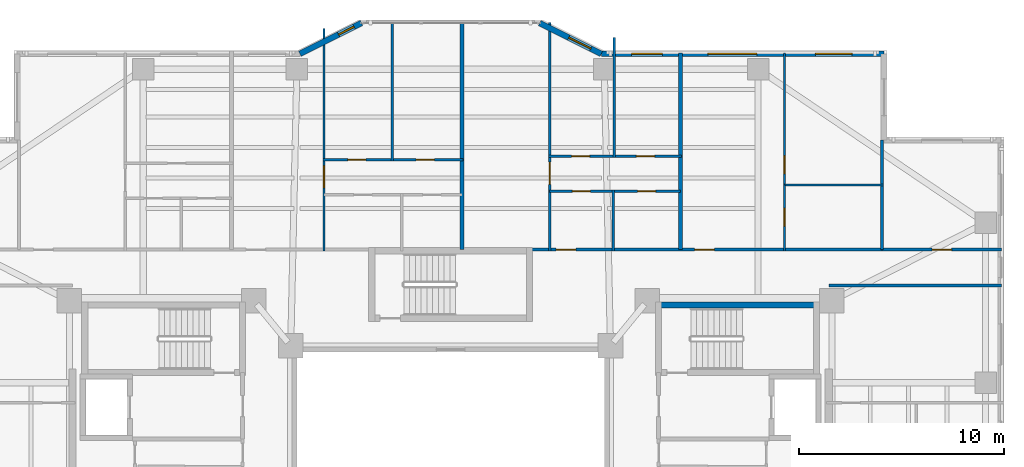
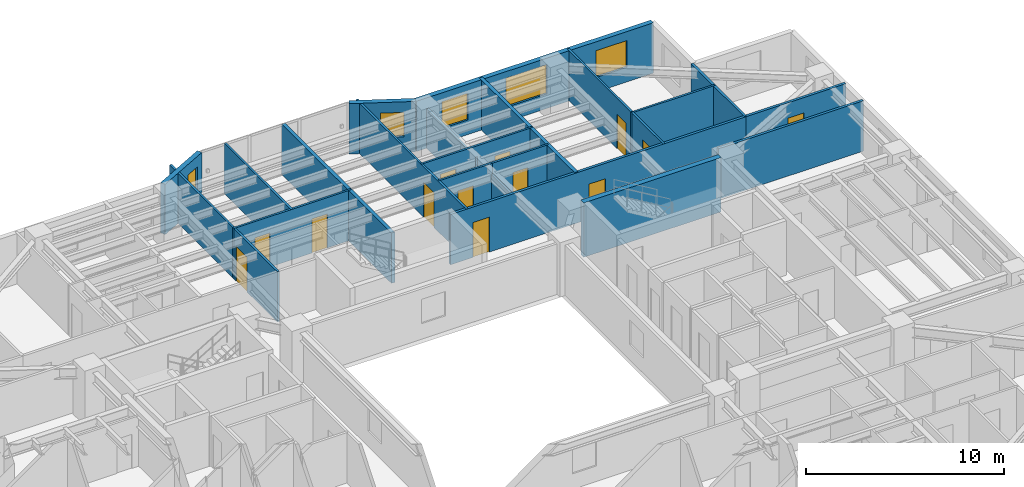
# One storey, part 11 of 19: 22 walls, 13 doors, 5 windows, 18 openings.
"""IFC4 building model written with IfcOpenShell, lengths in metres."""

import ifcopenshell
import ifcopenshell.guid

model = None  # the IFC model being written
_history = None  # IfcOwnerHistory: only IFC2X3 demands one
_inside = {}  # id of a spatial element -> (the spatial element, [elements in it])
_under = {}  # id of a project, library or spatial element -> (it, [spatial elements below it])
_declared = {}  # id of a project -> (the project, [libraries it declares])
_typed = {}  # id of a type object -> (the type object, [elements of that type])
_made_of = {}  # id of a material, layer set ... -> (it, [elements and type objects made of it])


def new_model(schema):
    """Start an empty IFC model of exactly this schema.

    Asked for "IFC4X3", IfcOpenShell would pick the latest addendum, in which some entities
    have other attributes; the version numbers below select the first issue.
    IFC2X3 requires an IfcOwnerHistory on every rooted entity: one is made here for all.
    """
    global model, _history
    if schema == "IFC4X3":
        model = ifcopenshell.file(schema_version=(4, 3, 0, 0))
    else:
        model = ifcopenshell.file(schema=schema)
    _inside.clear()
    _under.clear()
    _declared.clear()
    _typed.clear()
    _made_of.clear()
    _history = None
    if model.schema == "IFC2X3":
        org = make("IfcOrganization", Name="unknown")
        user = make(
            "IfcPersonAndOrganization",
            ThePerson=make("IfcPerson", FamilyName="unknown"),
            TheOrganization=org,
        )
        app = make(
            "IfcApplication",
            ApplicationDeveloper=org,
            Version="unknown",
            ApplicationFullName="unknown",
            ApplicationIdentifier="unknown",
        )
        _history = make(
            "IfcOwnerHistory",
            OwningUser=user,
            OwningApplication=app,
            ChangeAction="ADDED",
            CreationDate=0,
        )
    return model


def make(cls, **values):
    """One entity of the class cls with the attributes given. An attribute that is None is left unset."""
    return model.create_entity(
        cls, **{name: value for name, value in values.items() if value is not None}
    )


def rooted(cls, **values):
    """An entity with a GlobalId (a new one), such as an element, a storey or a relation."""
    return make(cls, GlobalId=ifcopenshell.guid.new(), OwnerHistory=_history, **values)


def si_unit(unit_type, name, prefix=None):
    """IfcSIUnit, for example si_unit("LENGTHUNIT", "METRE", prefix="MILLI")."""
    return make("IfcSIUnit", UnitType=unit_type, Prefix=prefix, Name=name)


def assignment(units):
    """IfcUnitAssignment: the units of a project."""
    return None if units is None else make("IfcUnitAssignment", Units=units)


def point(xyz):
    """IfcCartesianPoint."""
    return None if xyz is None else make("IfcCartesianPoint", Coordinates=xyz)


def direction(xyz):
    """IfcDirection."""
    return None if xyz is None else make("IfcDirection", DirectionRatios=xyz)


def frame(location, z_axis=None, x_axis=None):
    """IfcAxis2Placement3D, a coordinate frame: its origin and axes. An axis left out is left unset."""
    return make(
        "IfcAxis2Placement3D",
        Location=point(location),
        Axis=direction(z_axis),
        RefDirection=direction(x_axis),
    )


def frame_2d(location, x_axis=None):
    """IfcAxis2Placement2D, a coordinate frame in the plane: its origin and x axis."""
    return make(
        "IfcAxis2Placement2D", Location=point(location), RefDirection=direction(x_axis)
    )


def origin():
    """The frame at (0, 0, 0) with its axes left unset."""
    return frame((0.0, 0.0, 0.0))


def place(relative_to, where):
    """IfcLocalPlacement: puts the frame where relative to a parent placement (None: the world)."""
    return make(
        "IfcLocalPlacement", PlacementRelTo=relative_to, RelativePlacement=where
    )


def context(
    kind, dimensions, precision=None, world=None, true_north=None, identifier=None
):
    """IfcGeometricRepresentationContext, for example the 3D "Model" context."""
    return make(
        "IfcGeometricRepresentationContext",
        ContextIdentifier=identifier,
        ContextType=kind,
        CoordinateSpaceDimension=dimensions,
        Precision=precision,
        WorldCoordinateSystem=world,
        TrueNorth=true_north,
    )


def subcontext(parent, identifier, kind, view, scale=None):
    """IfcGeometricRepresentationSubContext, for example "Body" below "Model"."""
    return make(
        "IfcGeometricRepresentationSubContext",
        ContextIdentifier=identifier,
        ContextType=kind,
        ParentContext=parent,
        TargetScale=scale,
        TargetView=view,
    )


def project(units=None, contexts=None):
    """IfcProject with its units and contexts."""
    return rooted(
        "IfcProject",
        Name="project",
        RepresentationContexts=contexts,
        UnitsInContext=assignment(units),
    )


def spatial(cls, under=None, at=None, **own):
    """A site, building, storey or space (cls), placed at a placement, below another one or the project."""
    s = rooted(cls, ObjectPlacement=at, **own)
    if under is not None:
        _under.setdefault(under.id(), (under, []))[1].append(s)
    return s


def profile(cls, at=None, kind="AREA", **sizes):
    """A parametric profile (cls). Its sizes go by their IFC names, for example OverallWidth=200.0."""
    return make(cls, ProfileType=kind, Position=at, **sizes)


def rectangle(**sizes):
    """IfcRectangleProfileDef."""
    return profile("IfcRectangleProfileDef", **sizes)


def extrude(swept, where, along, depth):
    """IfcExtrudedAreaSolid: the profile swept, set in the frame where, extruded along a direction by depth."""
    return make(
        "IfcExtrudedAreaSolid",
        SweptArea=swept,
        Position=where,
        ExtrudedDirection=direction(along),
        Depth=depth,
    )


def shape(context_of_items, identifier, shape_type, items):
    """IfcShapeRepresentation: the items that make up one representation, for example the "Body"."""
    return make(
        "IfcShapeRepresentation",
        ContextOfItems=context_of_items,
        RepresentationIdentifier=identifier,
        RepresentationType=shape_type,
        Items=items,
    )


def material(Name=None, Category=None):
    """IfcMaterial."""
    return make("IfcMaterial", Name=Name, Category=Category)


def layer(
    of_material, thickness, ventilated=None, Name=None, Category=None, Priority=None
):
    """IfcMaterialLayer: one layer of a wall or slab, of a material (None: an air gap)."""
    return make(
        "IfcMaterialLayer",
        Material=of_material,
        LayerThickness=thickness,
        IsVentilated=ventilated,
        Name=Name,
        Category=Category,
        Priority=Priority,
    )


def layer_set(layers, Name=None):
    """IfcMaterialLayerSet."""
    return make("IfcMaterialLayerSet", MaterialLayers=layers, LayerSetName=Name)


def made_of(thing, what):
    """Note that an element or type object is made of a material, layer set ...; save() writes the relation."""
    if what is not None:
        _made_of.setdefault(what.id(), (what, []))[1].append(thing)
    return thing


def type_object(cls, material=None, **own):
    """A type object (cls), such as IfcWallType, which elements share."""
    return made_of(rooted(cls, **own), material)


def element(
    cls,
    number,
    at=None,
    inside=None,
    cuts=None,
    type_object=None,
    material=None,
    context=None,
    identifier="Body",
    shape_type=None,
    held_by="IfcProductDefinitionShape",
    body=None,
    shapes=None,
    **own,
):
    """One element of the class cls, such as IfcWall. Its Tag is "e" and its number.

    at: its placement. inside: the storey or other place that contains it. cuts: it is an
    opening in that element (IfcRelVoidsElement). A single representation is given by context,
    identifier, shape_type and body (its items); several are given by shapes. held_by: the class
    of the entity that holds the representations. save() writes the other relations.
    """
    e = rooted(cls, Tag="e%d" % number, ObjectPlacement=at, **own)
    if body is not None:
        shapes = [shape(context, identifier, shape_type, body)]
    if shapes is not None:
        e.Representation = make(held_by, Representations=shapes)
    if inside is not None:
        _inside.setdefault(inside.id(), (inside, []))[1].append(e)
    if cuts is not None:
        rooted(
            "IfcRelVoidsElement", RelatingBuildingElement=cuts, RelatedOpeningElement=e
        )
    if type_object is not None:
        _typed.setdefault(type_object.id(), (type_object, []))[1].append(e)
    return made_of(e, material)


def fill(opening, filler):
    """IfcRelFillsElement: the door or window that sits in an opening."""
    return rooted(
        "IfcRelFillsElement",
        RelatingOpeningElement=opening,
        RelatedBuildingElement=filler,
    )


def aggregate(whole, parts):
    """IfcRelAggregates: a whole, such as a stair, and the parts it consists of."""
    return rooted("IfcRelAggregates", RelatingObject=whole, RelatedObjects=parts)


def save(model, path):
    """Write the relations noted so far, then the file.

    IfcRelAggregates (storeys below a building ...), IfcRelContainedInSpatialStructure (elements
    in a storey), IfcRelDefinesByType, IfcRelAssociatesMaterial and IfcRelDeclares: one each for
    every whole, place, type object, material and project.
    """
    for whole, parts in _under.values():
        aggregate(whole, parts)
    for where, things in _inside.values():
        rooted(
            "IfcRelContainedInSpatialStructure",
            RelatedElements=things,
            RelatingStructure=where,
        )
    for kind, things in _typed.values():
        rooted("IfcRelDefinesByType", RelatedObjects=things, RelatingType=kind)
    for what, things in _made_of.values():
        rooted("IfcRelAssociatesMaterial", RelatedObjects=things, RelatingMaterial=what)
    for by, libraries in _declared.values():
        rooted("IfcRelDeclares", RelatingContext=by, RelatedDefinitions=libraries)
    model.write(path)


model = new_model("IFC4")

# Units and contexts
model_context = context("Model", 3, precision=1e-05, world=origin(), true_north=direction((0.0, 1.0)))
body_context = subcontext(model_context, "Body", "Model", "MODEL_VIEW")
ifc_project = project(units=[si_unit("LENGTHUNIT", "METRE"), si_unit("AREAUNIT", "SQUARE_METRE"), si_unit("VOLUMEUNIT", "CUBIC_METRE"), si_unit("PLANEANGLEUNIT", "RADIAN"), si_unit("MASSUNIT", "GRAM", prefix="KILO")], contexts=[model_context])

# Site, building, storey
site_placement = place(None, origin())
site = spatial("IfcSite", under=ifc_project, at=site_placement, CompositionType="ELEMENT")
building_placement = place(site_placement, origin())
building = spatial("IfcBuilding", under=site, at=building_placement, Name="Tarnavaz Court Tower", CompositionType="ELEMENT")
storey_placement = place(building_placement, frame((0.0, 0.0, 111.800048828125)))
storey = spatial("IfcBuildingStorey", under=building, at=storey_placement, Name="L30", CompositionType="ELEMENT", Elevation=111.800048828125)

# Wall
ifc_material_1 = material(Name="Concrete C60/75", Category="concrete")
ifc_layer_1 = layer(ifc_material_1, 0.300048828125)
ifc_layer_set_1 = layer_set([ifc_layer_1], Name="Concrete C60/75")
wall_type_1 = type_object("IfcWallType", Name="WL-CORE-300-C60", PredefinedType="SHEAR", material=ifc_layer_set_1)
wall_1_placement = place(storey_placement, frame((10.0, 9.7900390625, 0.0), z_axis=(0.0, 0.0, 1.0), x_axis=(1.0, 0.0, 0.0)))
element("IfcWall", 1, at=wall_1_placement, inside=storey, type_object=wall_type_1, Name="L30 East Stair Core Wall 005", PredefinedType="SHEAR", context=body_context, shape_type="SweptSolid", body=[
    extrude(rectangle(XDim=8.0, YDim=0.300048828125, at=frame_2d((4.0, 0.0))), origin(), (0.0, 0.0, 1.0), 3.349853515625),
])

# Wall, opening, window
ifc_material_2 = material(Name="Precast Concrete C40/50", Category="concrete")
ifc_layer_2 = layer(ifc_material_2, 0.280029296875)
ifc_layer_set_2 = layer_set([ifc_layer_2], Name="Precast Concrete C40/50")
wall_type_2 = type_object("IfcWallType", Name="WL-EXT-280", PredefinedType="SOLIDWALL", material=ifc_layer_set_2)
wall_2_placement = place(storey_placement, frame((-7.35009765625, 22.050048828125, 0.0), z_axis=(0.0, 0.0, 1.0), x_axis=(0.894427191, 0.4472135955, 0.0)))
wall_2 = element("IfcWall", 2, at=wall_2_placement, inside=storey, type_object=wall_type_2, Name="L30 Exterior Terracotta Facade Wall 06", PredefinedType="SOLIDWALL", context=body_context, shape_type="SweptSolid", body=[
    extrude(rectangle(XDim=3.35400390625, YDim=0.280029296875, at=frame_2d((1.677001953125, 0.0))), origin(), (0.0, 0.0, 1.0), 3.099853515625),
])
opening_1_placement = place(wall_2_placement, frame((2.098876953125, 0.0, 0.949951171875)))
opening_1 = element("IfcOpeningElement", 3, at=opening_1_placement, cuts=wall_2, Name="Opening W15", PredefinedType="OPENING", context=body_context, shape_type="SweptSolid", body=[
    extrude(rectangle(XDim=0.85009765625, YDim=1.5, at=frame_2d((0.425048828125, 0.75))), frame((0.0, 0.14990234375, 0.0), z_axis=(0.0, -1.0, 0.0), x_axis=(1.0, 0.0, 0.0)), (0.0, 0.0, 1.0), 0.300048828125),
])
ifc_material_3 = material(Name="Double-Glazed Solar Low-E Glass", Category="glass")
window_type_1 = type_object("IfcWindowType", Name="WN-APT-850", PartitioningType="SINGLE_PANEL", PredefinedType="WINDOW", material=ifc_material_3)
window_1_placement = place(opening_1_placement, origin())
window_1 = element("IfcWindow", 4, at=window_1_placement, inside=storey, type_object=window_type_1, Name="L30 Flat 02 Principal Bedroom Window", OverallHeight=1.5, OverallWidth=0.85009765625, PartitioningType="SINGLE_PANEL", PredefinedType="WINDOW", context=body_context, shape_type="SweptSolid", body=[
    extrude(rectangle(XDim=0.85009765625, YDim=1.5, at=frame_2d((0.425048828125, 0.75))), frame((0.0, 0.030029296875, 0.0), z_axis=(0.0, -1.0, 0.0), x_axis=(1.0, 0.0, 0.0)), (0.0, 0.0, 1.0), 0.06005859375),
])
fill(opening_1, window_1)

wall_3_placement = place(storey_placement, frame((4.35009765625, 23.550048828125, 0.0), z_axis=(0.0, 0.0, 1.0), x_axis=(0.894427191, -0.4472135955, 0.0)))
wall_3 = element("IfcWall", 5, at=wall_3_placement, inside=storey, type_object=wall_type_2, Name="L30 Exterior Terracotta Facade Wall 08", PredefinedType="SOLIDWALL", context=body_context, shape_type="SweptSolid", body=[
    extrude(rectangle(XDim=3.35400390625, YDim=0.280029296875, at=frame_2d((1.677001953125, 0.0))), origin(), (0.0, 0.0, 1.0), 3.099853515625),
])
opening_2_placement = place(wall_3_placement, frame((1.582763671875, 0.0, 0.949951171875)))
opening_2 = element("IfcOpeningElement", 6, at=opening_2_placement, cuts=wall_3, Name="Opening W05", PredefinedType="OPENING", context=body_context, shape_type="SweptSolid", body=[
    extrude(rectangle(XDim=1.199951171875, YDim=1.5, at=frame_2d((0.60009765625, 0.75))), frame((0.0, 0.14990234375, 0.0), z_axis=(0.0, -1.0, 0.0), x_axis=(1.0, 0.0, 0.0)), (0.0, 0.0, 1.0), 0.300048828125),
])
window_type_2 = type_object("IfcWindowType", Name="WN-APT-1200", PartitioningType="SINGLE_PANEL", PredefinedType="WINDOW", material=ifc_material_3)
window_2_placement = place(opening_2_placement, origin())
window_2 = element("IfcWindow", 7, at=window_2_placement, inside=storey, type_object=window_type_2, Name="L30 Flat 03 Principal Bedroom Window", OverallHeight=1.5, OverallWidth=1.199951171875, PartitioningType="SINGLE_PANEL", PredefinedType="WINDOW", context=body_context, shape_type="SweptSolid", body=[
    extrude(rectangle(XDim=1.199951171875, YDim=1.5, at=frame_2d((0.60009765625, 0.75))), frame((0.0, 0.030029296875, 0.0), z_axis=(0.0, -1.0, 0.0), x_axis=(1.0, 0.0, 0.0)), (0.0, 0.0, 1.0), 0.06005859375),
])
fill(opening_2, window_2)

# Wall, openings, windows
wall_4_placement = place(storey_placement, frame((7.35009765625, 22.050048828125, 0.0), z_axis=(0.0, 0.0, 1.0), x_axis=(1.0, 0.0, 0.0)))
wall_4 = element("IfcWall", 8, at=wall_4_placement, inside=storey, type_object=wall_type_2, Name="L30 Exterior Terracotta Facade Wall 09", PredefinedType="SOLIDWALL", context=body_context, shape_type="SweptSolid", body=[
    extrude(rectangle(XDim=13.7998046875, YDim=0.280029296875, at=frame_2d((6.89990234375, 0.0))), origin(), (0.0, 0.0, 1.0), 3.099853515625),
])
opening_3_placement = place(wall_4_placement, frame((1.483154296875, 0.0, 0.89990234375)))
opening_3 = element("IfcOpeningElement", 9, at=opening_3_placement, cuts=wall_4, Name="Opening W03", PredefinedType="OPENING", context=body_context, shape_type="SweptSolid", body=[
    extrude(rectangle(XDim=1.5, YDim=1.64990234375, at=frame_2d((0.75, 0.824951171875))), frame((0.0, 0.14990234375, 0.0), z_axis=(0.0, -1.0, 0.0), x_axis=(1.0, 0.0, 0.0)), (0.0, 0.0, 1.0), 0.300048828125),
])
opening_4_placement = place(wall_4_placement, frame((5.1982421875, 0.0, 0.89990234375)))
opening_4 = element("IfcOpeningElement", 10, at=opening_4_placement, cuts=wall_4, Name="Opening W06", PredefinedType="OPENING", context=body_context, shape_type="SweptSolid", body=[
    extrude(rectangle(XDim=2.39990234375, YDim=1.800048828125, at=frame_2d((1.199951171875, 0.89990234375))), frame((0.0, 0.14990234375, 0.0), z_axis=(0.0, -1.0, 0.0), x_axis=(1.0, 0.0, 0.0)), (0.0, 0.0, 1.0), 0.300048828125),
])
opening_5_placement = place(wall_4_placement, frame((10.441162109375, 0.0, 0.89990234375)))
opening_5 = element("IfcOpeningElement", 11, at=opening_5_placement, cuts=wall_4, Name="Opening W01", PredefinedType="OPENING", context=body_context, shape_type="SweptSolid", body=[
    extrude(rectangle(XDim=1.800048828125, YDim=1.64990234375, at=frame_2d((0.89990234375, 0.824951171875))), frame((0.0, 0.14990234375, 0.0), z_axis=(0.0, -1.0, 0.0), x_axis=(1.0, 0.0, 0.0)), (0.0, 0.0, 1.0), 0.300048828125),
])
window_type_3 = type_object("IfcWindowType", Name="WN-APT-1500", PartitioningType="DOUBLE_PANEL_VERTICAL", PredefinedType="WINDOW", material=ifc_material_3)
window_3_placement = place(opening_3_placement, origin())
window_3 = element("IfcWindow", 12, at=window_3_placement, inside=storey, type_object=window_type_3, Name="L30 Flat 03 Bedroom 2 Window", OverallHeight=1.64990234375, OverallWidth=1.5, PartitioningType="SINGLE_PANEL", PredefinedType="WINDOW", context=body_context, shape_type="SweptSolid", body=[
    extrude(rectangle(XDim=1.5, YDim=1.64990234375, at=frame_2d((0.75, 0.824951171875))), frame((0.0, 0.030029296875, 0.0), z_axis=(0.0, -1.0, 0.0), x_axis=(1.0, 0.0, 0.0)), (0.0, 0.0, 1.0), 0.06005859375),
])
fill(opening_3, window_3)
window_type_4 = type_object("IfcWindowType", Name="WN-APT-1800", PartitioningType="DOUBLE_PANEL_VERTICAL", PredefinedType="WINDOW", material=ifc_material_3)
window_4_placement = place(opening_5_placement, origin())
window_4 = element("IfcWindow", 13, at=window_4_placement, inside=storey, type_object=window_type_4, Name="L30 Flat 04 Kitchen Window", OverallHeight=1.64990234375, OverallWidth=1.800048828125, PartitioningType="SINGLE_PANEL", PredefinedType="WINDOW", context=body_context, shape_type="SweptSolid", body=[
    extrude(rectangle(XDim=1.800048828125, YDim=1.64990234375, at=frame_2d((0.89990234375, 0.824951171875))), frame((0.0, 0.030029296875, 0.0), z_axis=(0.0, -1.0, 0.0), x_axis=(1.0, 0.0, 0.0)), (0.0, 0.0, 1.0), 0.06005859375),
])
fill(opening_5, window_4)
window_type_5 = type_object("IfcWindowType", Name="WN-APT-2400", PartitioningType="TRIPLE_PANEL_VERTICAL", PredefinedType="WINDOW", material=ifc_material_3)
window_5_placement = place(opening_4_placement, origin())
window_5 = element("IfcWindow", 14, at=window_5_placement, inside=storey, type_object=window_type_5, Name="L30 Flat 04 Studio Living and Sleeping Room Window", OverallHeight=1.800048828125, OverallWidth=2.39990234375, PartitioningType="SINGLE_PANEL", PredefinedType="WINDOW", context=body_context, shape_type="SweptSolid", body=[
    extrude(rectangle(XDim=2.39990234375, YDim=1.800048828125, at=frame_2d((1.199951171875, 0.89990234375))), frame((0.0, 0.030029296875, 0.0), z_axis=(0.0, -1.0, 0.0), x_axis=(1.0, 0.0, 0.0)), (0.0, 0.0, 1.0), 0.06005859375),
])
fill(opening_4, window_5)

# Wall, openings, doors
ifc_material_4 = material(Name="Gypsum Fire-Board on Acoustic Metal Stud", Category="masonry")
ifc_layer_3 = layer(ifc_material_4, 0.14990234375)
ifc_layer_set_3 = layer_set([ifc_layer_3], Name="Gypsum Fire-Board on Acoustic Metal Stud")
wall_type_3 = type_object("IfcWallType", Name="WL-FIRE-150", PredefinedType="PARTITIONING", material=ifc_layer_set_3)
wall_5_placement = place(storey_placement, frame((3.85009765625, 12.5, 0.0), z_axis=(0.0, 0.0, 1.0), x_axis=(1.0, 0.0, 0.0)))
wall_5 = element("IfcWall", 15, at=wall_5_placement, inside=storey, type_object=wall_type_3, Name="L30 NE Wing Corridor Wall 072", PredefinedType="PARTITIONING", context=body_context, shape_type="SweptSolid", body=[
    extrude(rectangle(XDim=17.199951171875, YDim=0.14990234375, at=frame_2d((8.60009765625, 0.0))), origin(), (0.0, 0.0, 1.0), 3.099853515625),
])
opening_6_placement = place(wall_5_placement, frame((1.300048828125, 0.0, 0.0)))
opening_6 = element("IfcOpeningElement", 16, at=opening_6_placement, cuts=wall_5, Name="Opening D06", PredefinedType="OPENING", context=body_context, shape_type="SweptSolid", body=[
    extrude(rectangle(XDim=0.9599609375, YDim=2.14990234375, at=frame_2d((0.47998046875, 1.074951171875))), frame((0.0, 0.0849609375, 0.0), z_axis=(0.0, -1.0, 0.0), x_axis=(1.0, 0.0, 0.0)), (0.0, 0.0, 1.0), 0.169921875),
])
opening_7_placement = place(wall_5_placement, frame((8.06005859375, 0.0, 0.0)))
opening_7 = element("IfcOpeningElement", 17, at=opening_7_placement, cuts=wall_5, Name="Opening D06", PredefinedType="OPENING", context=body_context, shape_type="SweptSolid", body=[
    extrude(rectangle(XDim=0.9599609375, YDim=2.14990234375, at=frame_2d((0.47998046875, 1.074951171875))), frame((0.0, 0.0849609375, 0.0), z_axis=(0.0, -1.0, 0.0), x_axis=(1.0, 0.0, 0.0)), (0.0, 0.0, 1.0), 0.169921875),
])
ifc_material_5 = material(Name="Fire-Rated Hardwood Timber Core", Category="wood")
door_type_1 = type_object("IfcDoorType", Name="DR-FD60-950", OperationType="NOTDEFINED", PredefinedType="DOOR", material=ifc_material_5)
door_1_placement = place(opening_6_placement, origin())
door_1 = element("IfcDoor", 18, at=door_1_placement, inside=storey, type_object=door_type_1, Name="L30 Flat 03 Entrance Door", OperationType="SINGLE_SWING_RIGHT", OverallHeight=2.14990234375, OverallWidth=0.9599609375, PredefinedType="DOOR", context=body_context, shape_type="SweptSolid", body=[
    extrude(rectangle(XDim=0.9599609375, YDim=2.14990234375, at=frame_2d((0.47998046875, 1.074951171875))), frame((0.0, 0.02490234375, 0.0), z_axis=(0.0, -1.0, 0.0), x_axis=(1.0, 0.0, 0.0)), (0.0, 0.0, 1.0), 0.050048828125),
])
fill(opening_6, door_1)
door_2_placement = place(opening_7_placement, origin())
door_2 = element("IfcDoor", 19, at=door_2_placement, inside=storey, type_object=door_type_1, Name="L30 Flat 04 Entrance Door", OperationType="SINGLE_SWING_RIGHT", OverallHeight=2.14990234375, OverallWidth=0.9599609375, PredefinedType="DOOR", context=body_context, shape_type="SweptSolid", body=[
    extrude(rectangle(XDim=0.9599609375, YDim=2.14990234375, at=frame_2d((0.47998046875, 1.074951171875))), frame((0.0, 0.02490234375, 0.0), z_axis=(0.0, -1.0, 0.0), x_axis=(1.0, 0.0, 0.0)), (0.0, 0.0, 1.0), 0.050048828125),
])
fill(opening_7, door_2)

# Wall
wall_6_placement = place(storey_placement, frame((18.449951171875, 10.75, 0.0), z_axis=(0.0, 0.0, 1.0), x_axis=(1.0, 0.0, 0.0)))
element("IfcWall", 20, at=wall_6_placement, inside=storey, type_object=wall_type_3, Name="L30 Interior Partition 125", PredefinedType="PARTITIONING", context=body_context, shape_type="SweptSolid", body=[
    extrude(rectangle(XDim=8.429931640625, YDim=0.14990234375, at=frame_2d((4.21484375, 0.0))), origin(), (0.0, 0.0, 1.0), 3.099853515625),
])

# Wall, opening, door
wall_7_placement = place(storey_placement, frame((21.050048828125, 12.5, 0.0), z_axis=(0.0, 0.0, 1.0), x_axis=(1.0, 0.0, 0.0)))
wall_7 = element("IfcWall", 21, at=wall_7_placement, inside=storey, type_object=wall_type_3, Name="L30 Interior Partition 131", PredefinedType="PARTITIONING", context=body_context, shape_type="SweptSolid", body=[
    extrude(rectangle(XDim=5.829833984375, YDim=0.14990234375, at=frame_2d((2.9150390625, 0.0))), origin(), (0.0, 0.0, 1.0), 3.099853515625),
])
opening_8_placement = place(wall_7_placement, frame((2.43994140625, 0.0, 0.0)))
opening_8 = element("IfcOpeningElement", 22, at=opening_8_placement, cuts=wall_7, Name="Opening D13", PredefinedType="OPENING", context=body_context, shape_type="SweptSolid", body=[
    extrude(rectangle(XDim=0.949951171875, YDim=2.14990234375, at=frame_2d((0.47509765625, 1.074951171875))), frame((0.0, 0.0849609375, 0.0), z_axis=(0.0, -1.0, 0.0), x_axis=(1.0, 0.0, 0.0)), (0.0, 0.0, 1.0), 0.169921875),
])
ifc_material_6 = material(Name="Engineered Oak Timber", Category="wood")
door_type_2 = type_object("IfcDoorType", Name="DR-INT-950", OperationType="NOTDEFINED", PredefinedType="DOOR", material=ifc_material_6)
door_3_placement = place(opening_8_placement, origin())
door_3 = element("IfcDoor", 23, at=door_3_placement, inside=storey, type_object=door_type_2, Name="L30 NE Sunroom Door", OperationType="SINGLE_SWING_RIGHT", OverallHeight=2.14990234375, OverallWidth=0.949951171875, PredefinedType="DOOR", context=body_context, shape_type="SweptSolid", body=[
    extrude(rectangle(XDim=0.949951171875, YDim=2.14990234375, at=frame_2d((0.47509765625, 1.074951171875))), frame((0.0, 0.02490234375, 0.0), z_axis=(0.0, -1.0, 0.0), x_axis=(1.0, 0.0, 0.0)), (0.0, 0.0, 1.0), 0.050048828125),
])
fill(opening_8, door_3)

# Walls
ifc_material_7 = material(Name="Autoclaved Aerated Concrete Blockwork", Category="masonry")
ifc_layer_4 = layer(ifc_material_7, 0.199951171875)
ifc_layer_set_4 = layer_set([ifc_layer_4], Name="Autoclaved Aerated Concrete Blockwork")
wall_type_4 = type_object("IfcWallType", Name="WL-FIRE-200", PredefinedType="SOLIDWALL", material=ifc_layer_set_4)
wall_8_placement = place(storey_placement, frame((0.550048828125, 12.5, 0.0), z_axis=(0.0, 0.0, 1.0), x_axis=(0.0, 1.0, 0.0)))
element("IfcWall", 24, at=wall_8_placement, inside=storey, type_object=wall_type_4, Name="L30 North Center Party Wall 075", PredefinedType="SOLIDWALL", context=body_context, shape_type="SweptSolid", body=[
    extrude(rectangle(XDim=11.080078125, YDim=0.199951171875, at=frame_2d((5.5400390625, 0.0))), origin(), (0.0, 0.0, 1.0), 3.099853515625),
])
wall_9_placement = place(storey_placement, frame((11.2099609375, 12.5, 0.0), z_axis=(0.0, 0.0, 1.0), x_axis=(0.0, 1.0, 0.0)))
element("IfcWall", 25, at=wall_9_placement, inside=storey, type_object=wall_type_4, Name="L30 Party Wall 088", PredefinedType="SOLIDWALL", context=body_context, shape_type="SweptSolid", body=[
    extrude(rectangle(XDim=9.60009765625, YDim=0.199951171875, at=frame_2d((4.800048828125, 0.0))), origin(), (0.0, 0.0, 1.0), 3.099853515625),
])

# Wall, opening, door
ifc_material_8 = material(Name="Moisture-Resistant Gypsum Board Partition", Category="masonry")
ifc_layer_5 = layer(ifc_material_8, 0.1201171875)
ifc_layer_set_5 = layer_set([ifc_layer_5], Name="Moisture-Resistant Gypsum Board Partition")
wall_type_5 = type_object("IfcWallType", Name="WL-PART-120", PredefinedType="PARTITIONING", material=ifc_layer_set_5)
wall_10_placement = place(storey_placement, frame((-6.177001953125, 12.43994140625, 0.0), z_axis=(0.0, 0.0, 1.0), x_axis=(0.0, 1.0, 0.0)))
wall_10 = element("IfcWall", 26, at=wall_10_placement, inside=storey, type_object=wall_type_5, Name="L30 Interior Partition 082", PredefinedType="PARTITIONING", context=body_context, shape_type="SweptSolid", body=[
    extrude(rectangle(XDim=10.85009765625, YDim=0.1201171875, at=frame_2d((5.425048828125, 0.0))), origin(), (0.0, 0.0, 1.0), 3.099853515625),
])
opening_9_placement = place(wall_10_placement, frame((3.074951171875, 0.0, 0.0)))
opening_9 = element("IfcOpeningElement", 27, at=opening_9_placement, cuts=wall_10, Name="Opening D12", PredefinedType="OPENING", context=body_context, shape_type="SweptSolid", body=[
    extrude(rectangle(XDim=1.080078125, YDim=2.14990234375, at=frame_2d((0.5400390625, 1.074951171875))), frame((0.0, 0.070068359375, 0.0), z_axis=(0.0, -1.0, 0.0), x_axis=(1.0, 0.0, 0.0)), (0.0, 0.0, 1.0), 0.14013671875),
])
door_type_3 = type_object("IfcDoorType", Name="DR-INT-1100", OperationType="NOTDEFINED", PredefinedType="DOOR", material=ifc_material_6)
door_4_placement = place(opening_9_placement, origin())
door_4 = element("IfcDoor", 28, at=door_4_placement, inside=storey, type_object=door_type_3, Name="L30 Flat 02 Foyer Door", OperationType="SINGLE_SWING_LEFT", OverallHeight=2.14990234375, OverallWidth=1.080078125, PredefinedType="DOOR", context=body_context, shape_type="SweptSolid", body=[
    extrude(rectangle(XDim=1.080078125, YDim=2.14990234375, at=frame_2d((0.5400390625, 1.074951171875))), frame((0.0, 0.02490234375, 0.0), z_axis=(0.0, -1.0, 0.0), x_axis=(1.0, 0.0, 0.0)), (0.0, 0.0, 1.0), 0.050048828125),
])
fill(opening_9, door_4)

# Wall, openings, doors
wall_11_placement = place(storey_placement, frame((-6.237060546875, 16.8798828125, 0.0), z_axis=(0.0, 0.0, 1.0), x_axis=(1.0, 0.0, 0.0)))
wall_11 = element("IfcWall", 29, at=wall_11_placement, inside=storey, type_object=wall_type_5, Name="L30 Interior Partition 085", PredefinedType="PARTITIONING", context=body_context, shape_type="SweptSolid", body=[
    extrude(rectangle(XDim=6.84716796875, YDim=0.1201171875, at=frame_2d((3.423583984375, 0.0))), origin(), (0.0, 0.0, 1.0), 3.099853515625),
])
opening_10_placement = place(wall_11_placement, frame((1.22705078125, 0.0, 0.0)))
opening_10 = element("IfcOpeningElement", 30, at=opening_10_placement, cuts=wall_11, Name="Opening D14", PredefinedType="OPENING", context=body_context, shape_type="SweptSolid", body=[
    extrude(rectangle(XDim=0.8798828125, YDim=2.10009765625, at=frame_2d((0.43994140625, 1.050048828125))), frame((0.0, 0.070068359375, 0.0), z_axis=(0.0, -1.0, 0.0), x_axis=(1.0, 0.0, 0.0)), (0.0, 0.0, 1.0), 0.14013671875),
])
opening_11_placement = place(wall_11_placement, frame((4.56005859375, 0.0, 0.0)))
opening_11 = element("IfcOpeningElement", 31, at=opening_11_placement, cuts=wall_11, Name="Opening D14", PredefinedType="OPENING", context=body_context, shape_type="SweptSolid", body=[
    extrude(rectangle(XDim=0.8798828125, YDim=2.10009765625, at=frame_2d((0.43994140625, 1.050048828125))), frame((0.0, 0.070068359375, 0.0), z_axis=(0.0, -1.0, 0.0), x_axis=(1.0, 0.0, 0.0)), (0.0, 0.0, 1.0), 0.14013671875),
])
door_type_4 = type_object("IfcDoorType", Name="DR-INT-900", OperationType="NOTDEFINED", PredefinedType="DOOR", material=ifc_material_6)
door_5_placement = place(opening_10_placement, origin())
door_5 = element("IfcDoor", 32, at=door_5_placement, inside=storey, type_object=door_type_4, Name="L30 Flat 02 Bedroom 1 Door", OperationType="SINGLE_SWING_RIGHT", OverallHeight=2.10009765625, OverallWidth=0.8798828125, PredefinedType="DOOR", context=body_context, shape_type="SweptSolid", body=[
    extrude(rectangle(XDim=0.8798828125, YDim=2.10009765625, at=frame_2d((0.43994140625, 1.050048828125))), frame((0.0, 0.02490234375, 0.0), z_axis=(0.0, -1.0, 0.0), x_axis=(1.0, 0.0, 0.0)), (0.0, 0.0, 1.0), 0.050048828125),
])
fill(opening_10, door_5)
door_6_placement = place(opening_11_placement, origin())
door_6 = element("IfcDoor", 33, at=door_6_placement, inside=storey, type_object=door_type_4, Name="L30 Flat 02 Bedroom 2 Door", OperationType="SINGLE_SWING_LEFT", OverallHeight=2.10009765625, OverallWidth=0.8798828125, PredefinedType="DOOR", context=body_context, shape_type="SweptSolid", body=[
    extrude(rectangle(XDim=0.8798828125, YDim=2.10009765625, at=frame_2d((0.43994140625, 1.050048828125))), frame((0.0, 0.02490234375, 0.0), z_axis=(0.0, -1.0, 0.0), x_axis=(1.0, 0.0, 0.0)), (0.0, 0.0, 1.0), 0.050048828125),
])
fill(opening_11, door_6)

# Wall
wall_12_placement = place(storey_placement, frame((-2.843017578125, 16.820068359375, 0.0), z_axis=(0.0, 0.0, 1.0), x_axis=(0.0, 1.0, 0.0)))
element("IfcWall", 34, at=wall_12_placement, inside=storey, type_object=wall_type_5, Name="L30 Interior Partition 087", PredefinedType="PARTITIONING", context=body_context, shape_type="SweptSolid", body=[
    extrude(rectangle(XDim=6.760009765625, YDim=0.1201171875, at=frame_2d((3.3798828125, 0.0))), origin(), (0.0, 0.0, 1.0), 3.099853515625),
])

# Wall, opening, door
wall_13_placement = place(storey_placement, frame((4.825927734375, 12.43994140625, 0.0), z_axis=(0.0, 0.0, 1.0), x_axis=(0.0, 1.0, 0.0)))
wall_13 = element("IfcWall", 35, at=wall_13_placement, inside=storey, type_object=wall_type_5, Name="L30 Interior Partition 089", PredefinedType="PARTITIONING", context=body_context, shape_type="SweptSolid", body=[
    extrude(rectangle(XDim=11.14013671875, YDim=0.1201171875, at=frame_2d((5.570068359375, 0.0))), origin(), (0.0, 0.0, 1.0), 3.099853515625),
])
opening_12_placement = place(wall_13_placement, frame((3.2451171875, 0.0, 0.0)))
opening_12 = element("IfcOpeningElement", 36, at=opening_12_placement, cuts=wall_13, Name="Opening D12", PredefinedType="OPENING", context=body_context, shape_type="SweptSolid", body=[
    extrude(rectangle(XDim=1.080078125, YDim=2.14990234375, at=frame_2d((0.5400390625, 1.074951171875))), frame((0.0, 0.070068359375, 0.0), z_axis=(0.0, -1.0, 0.0), x_axis=(1.0, 0.0, 0.0)), (0.0, 0.0, 1.0), 0.14013671875),
])
door_7_placement = place(opening_12_placement, origin())
door_7 = element("IfcDoor", 37, at=door_7_placement, inside=storey, type_object=door_type_3, Name="L30 Flat 03 Foyer Door", OperationType="SINGLE_SWING_LEFT", OverallHeight=2.14990234375, OverallWidth=1.080078125, PredefinedType="DOOR", context=body_context, shape_type="SweptSolid", body=[
    extrude(rectangle(XDim=1.080078125, YDim=2.14990234375, at=frame_2d((0.5400390625, 1.074951171875))), frame((0.0, 0.02490234375, 0.0), z_axis=(0.0, -1.0, 0.0), x_axis=(1.0, 0.0, 0.0)), (0.0, 0.0, 1.0), 0.050048828125),
])
fill(opening_12, door_7)

wall_14_placement = place(storey_placement, frame((4.825927734375, 15.340087890625, 0.0), z_axis=(0.0, 0.0, 1.0), x_axis=(1.0, 0.0, 0.0)))
wall_14 = element("IfcWall", 38, at=wall_14_placement, inside=storey, type_object=wall_type_5, Name="L30 Interior Partition 090", PredefinedType="PARTITIONING", context=body_context, shape_type="SweptSolid", body=[
    extrude(rectangle(XDim=3.09912109375, YDim=0.1201171875, at=frame_2d((1.549560546875, 0.0))), origin(), (0.0, 0.0, 1.0), 3.099853515625),
])
opening_13_placement = place(wall_14_placement, frame((1.110107421875, 0.0, 0.0)))
opening_13 = element("IfcOpeningElement", 39, at=opening_13_placement, cuts=wall_14, Name="Opening D14", PredefinedType="OPENING", context=body_context, shape_type="SweptSolid", body=[
    extrude(rectangle(XDim=0.8798828125, YDim=2.10009765625, at=frame_2d((0.43994140625, 1.050048828125))), frame((0.0, 0.070068359375, 0.0), z_axis=(0.0, -1.0, 0.0), x_axis=(1.0, 0.0, 0.0)), (0.0, 0.0, 1.0), 0.14013671875),
])
door_8_placement = place(opening_13_placement, origin())
door_8 = element("IfcDoor", 40, at=door_8_placement, inside=storey, type_object=door_type_4, Name="L30 Flat 03 Kitchen Door", OperationType="SINGLE_SWING_RIGHT", OverallHeight=2.10009765625, OverallWidth=0.8798828125, PredefinedType="DOOR", context=body_context, shape_type="SweptSolid", body=[
    extrude(rectangle(XDim=0.8798828125, YDim=2.10009765625, at=frame_2d((0.43994140625, 1.050048828125))), frame((0.0, 0.02490234375, 0.0), z_axis=(0.0, -1.0, 0.0), x_axis=(1.0, 0.0, 0.0)), (0.0, 0.0, 1.0), 0.050048828125),
])
fill(opening_13, door_8)

wall_15_placement = place(storey_placement, frame((7.925048828125, 15.340087890625, 0.0), z_axis=(0.0, 0.0, 1.0), x_axis=(1.0, 0.0, 0.0)))
wall_15 = element("IfcWall", 41, at=wall_15_placement, inside=storey, type_object=wall_type_5, Name="L30 Interior Partition 091", PredefinedType="PARTITIONING", context=body_context, shape_type="SweptSolid", body=[
    extrude(rectangle(XDim=3.284912109375, YDim=0.1201171875, at=frame_2d((1.642578125, 0.0))), origin(), (0.0, 0.0, 1.0), 3.099853515625),
])
opening_14_placement = place(wall_15_placement, frame((1.202880859375, 0.0, 0.0)))
opening_14 = element("IfcOpeningElement", 42, at=opening_14_placement, cuts=wall_15, Name="Opening D14", PredefinedType="OPENING", context=body_context, shape_type="SweptSolid", body=[
    extrude(rectangle(XDim=0.8798828125, YDim=2.10009765625, at=frame_2d((0.43994140625, 1.050048828125))), frame((0.0, 0.070068359375, 0.0), z_axis=(0.0, -1.0, 0.0), x_axis=(1.0, 0.0, 0.0)), (0.0, 0.0, 1.0), 0.14013671875),
])
door_9_placement = place(opening_14_placement, origin())
door_9 = element("IfcDoor", 43, at=door_9_placement, inside=storey, type_object=door_type_4, Name="L30 Flat 03 Bathroom Door", OperationType="SINGLE_SWING_LEFT", OverallHeight=2.10009765625, OverallWidth=0.8798828125, PredefinedType="DOOR", context=body_context, shape_type="SweptSolid", body=[
    extrude(rectangle(XDim=0.8798828125, YDim=2.10009765625, at=frame_2d((0.43994140625, 1.050048828125))), frame((0.0, 0.02490234375, 0.0), z_axis=(0.0, -1.0, 0.0), x_axis=(1.0, 0.0, 0.0)), (0.0, 0.0, 1.0), 0.050048828125),
])
fill(opening_14, door_9)

# Wall, openings, doors
wall_16_placement = place(storey_placement, frame((4.76611328125, 17.050048828125, 0.0), z_axis=(0.0, 0.0, 1.0), x_axis=(1.0, 0.0, 0.0)))
wall_16 = element("IfcWall", 44, at=wall_16_placement, inside=storey, type_object=wall_type_5, Name="L30 Interior Partition 092", PredefinedType="PARTITIONING", context=body_context, shape_type="SweptSolid", body=[
    extrude(rectangle(XDim=6.50390625, YDim=0.1201171875, at=frame_2d((3.251953125, 0.0))), origin(), (0.0, 0.0, 1.0), 3.099853515625),
])
opening_15_placement = place(wall_16_placement, frame((1.14111328125, 0.0, 0.0)))
opening_15 = element("IfcOpeningElement", 45, at=opening_15_placement, cuts=wall_16, Name="Opening D14", PredefinedType="OPENING", context=body_context, shape_type="SweptSolid", body=[
    extrude(rectangle(XDim=0.8798828125, YDim=2.10009765625, at=frame_2d((0.43994140625, 1.050048828125))), frame((0.0, 0.070068359375, 0.0), z_axis=(0.0, -1.0, 0.0), x_axis=(1.0, 0.0, 0.0)), (0.0, 0.0, 1.0), 0.14013671875),
])
opening_16_placement = place(wall_16_placement, frame((4.302978515625, 0.0, 0.0)))
opening_16 = element("IfcOpeningElement", 46, at=opening_16_placement, cuts=wall_16, Name="Opening D14", PredefinedType="OPENING", context=body_context, shape_type="SweptSolid", body=[
    extrude(rectangle(XDim=0.8798828125, YDim=2.10009765625, at=frame_2d((0.43994140625, 1.050048828125))), frame((0.0, 0.070068359375, 0.0), z_axis=(0.0, -1.0, 0.0), x_axis=(1.0, 0.0, 0.0)), (0.0, 0.0, 1.0), 0.14013671875),
])
door_10_placement = place(opening_15_placement, origin())
door_10 = element("IfcDoor", 47, at=door_10_placement, inside=storey, type_object=door_type_4, Name="L30 Flat 03 Bedroom 1 Door", OperationType="SINGLE_SWING_RIGHT", OverallHeight=2.10009765625, OverallWidth=0.8798828125, PredefinedType="DOOR", context=body_context, shape_type="SweptSolid", body=[
    extrude(rectangle(XDim=0.8798828125, YDim=2.10009765625, at=frame_2d((0.43994140625, 1.050048828125))), frame((0.0, 0.02490234375, 0.0), z_axis=(0.0, -1.0, 0.0), x_axis=(1.0, 0.0, 0.0)), (0.0, 0.0, 1.0), 0.050048828125),
])
fill(opening_15, door_10)
door_11_placement = place(opening_16_placement, origin())
door_11 = element("IfcDoor", 48, at=door_11_placement, inside=storey, type_object=door_type_4, Name="L30 Flat 03 Bedroom 2 Door", OperationType="SINGLE_SWING_LEFT", OverallHeight=2.10009765625, OverallWidth=0.8798828125, PredefinedType="DOOR", context=body_context, shape_type="SweptSolid", body=[
    extrude(rectangle(XDim=0.8798828125, YDim=2.10009765625, at=frame_2d((0.43994140625, 1.050048828125))), frame((0.0, 0.02490234375, 0.0), z_axis=(0.0, -1.0, 0.0), x_axis=(1.0, 0.0, 0.0)), (0.0, 0.0, 1.0), 0.050048828125),
])
fill(opening_16, door_11)

# Walls
wall_17_placement = place(storey_placement, frame((7.925048828125, 12.43994140625, 0.0), z_axis=(0.0, 0.0, 1.0), x_axis=(0.0, 1.0, 0.0)))
element("IfcWall", 49, at=wall_17_placement, inside=storey, type_object=wall_type_5, Name="L30 Interior Partition 093", PredefinedType="PARTITIONING", context=body_context, shape_type="SweptSolid", body=[
    extrude(rectangle(XDim=2.9599609375, YDim=0.1201171875, at=frame_2d((1.47998046875, 0.0))), origin(), (0.0, 0.0, 1.0), 2.43505859375),
])
wall_18_placement = place(storey_placement, frame((7.988037109375, 16.989990234375, 0.0), z_axis=(0.0, 0.0, 1.0), x_axis=(0.0, 1.0, 0.0)))
element("IfcWall", 50, at=wall_18_placement, inside=storey, type_object=wall_type_5, Name="L30 Interior Partition 094", PredefinedType="PARTITIONING", context=body_context, shape_type="SweptSolid", body=[
    extrude(rectangle(XDim=5.85302734375, YDim=0.1201171875, at=frame_2d((2.926513671875, 0.0))), origin(), (0.0, 0.0, 1.0), 2.43505859375),
])

# Wall, opening, door
wall_19_placement = place(storey_placement, frame((16.2900390625, 12.43994140625, 0.0), z_axis=(0.0, 0.0, 1.0), x_axis=(0.0, 1.0, 0.0)))
wall_19 = element("IfcWall", 51, at=wall_19_placement, inside=storey, type_object=wall_type_5, Name="L30 Interior Partition 095", PredefinedType="PARTITIONING", context=body_context, shape_type="SweptSolid", body=[
    extrude(rectangle(XDim=3.2099609375, YDim=0.1201171875, at=frame_2d((1.60498046875, 0.0))), origin(), (0.0, 0.0, 1.0), 3.099853515625),
])
opening_17_placement = place(wall_19_placement, frame((1.195068359375, 0.0, 0.0)))
opening_17 = element("IfcOpeningElement", 52, at=opening_17_placement, cuts=wall_19, Name="Opening D14", PredefinedType="OPENING", context=body_context, shape_type="SweptSolid", body=[
    extrude(rectangle(XDim=0.8798828125, YDim=2.10009765625, at=frame_2d((0.43994140625, 1.050048828125))), frame((0.0, 0.070068359375, 0.0), z_axis=(0.0, -1.0, 0.0), x_axis=(1.0, 0.0, 0.0)), (0.0, 0.0, 1.0), 0.14013671875),
])
door_12_placement = place(opening_17_placement, origin())
door_12 = element("IfcDoor", 53, at=door_12_placement, inside=storey, type_object=door_type_4, Name="L30 Flat 04 Bathroom Door", OperationType="SINGLE_SWING_LEFT", OverallHeight=2.10009765625, OverallWidth=0.8798828125, PredefinedType="DOOR", context=body_context, shape_type="SweptSolid", body=[
    extrude(rectangle(XDim=0.8798828125, YDim=2.10009765625, at=frame_2d((0.43994140625, 1.050048828125))), frame((0.0, 0.02490234375, 0.0), z_axis=(0.0, -1.0, 0.0), x_axis=(1.0, 0.0, 0.0)), (0.0, 0.0, 1.0), 0.050048828125),
])
fill(opening_17, door_12)

wall_20_placement = place(storey_placement, frame((16.2900390625, 15.64990234375, 0.0), z_axis=(0.0, 0.0, 1.0), x_axis=(0.0, 1.0, 0.0)))
wall_20 = element("IfcWall", 54, at=wall_20_placement, inside=storey, type_object=wall_type_5, Name="L30 Interior Partition 096", PredefinedType="PARTITIONING", context=body_context, shape_type="SweptSolid", body=[
    extrude(rectangle(XDim=6.4501953125, YDim=0.1201171875, at=frame_2d((3.22509765625, 0.0))), origin(), (0.0, 0.0, 1.0), 3.099853515625),
])
opening_18_placement = place(wall_20_placement, frame((0.550048828125, 0.0, 0.0)))
opening_18 = element("IfcOpeningElement", 55, at=opening_18_placement, cuts=wall_20, Name="Opening D14", PredefinedType="OPENING", context=body_context, shape_type="SweptSolid", body=[
    extrude(rectangle(XDim=0.8798828125, YDim=2.10009765625, at=frame_2d((0.43994140625, 1.050048828125))), frame((0.0, 0.070068359375, 0.0), z_axis=(0.0, -1.0, 0.0), x_axis=(1.0, 0.0, 0.0)), (0.0, 0.0, 1.0), 0.14013671875),
])
door_13_placement = place(opening_18_placement, origin())
door_13 = element("IfcDoor", 56, at=door_13_placement, inside=storey, type_object=door_type_4, Name="L30 Flat 04 Kitchen Door", OperationType="SINGLE_SWING_RIGHT", OverallHeight=2.10009765625, OverallWidth=0.8798828125, PredefinedType="DOOR", context=body_context, shape_type="SweptSolid", body=[
    extrude(rectangle(XDim=0.8798828125, YDim=2.10009765625, at=frame_2d((0.43994140625, 1.050048828125))), frame((0.0, 0.02490234375, 0.0), z_axis=(0.0, -1.0, 0.0), x_axis=(1.0, 0.0, 0.0)), (0.0, 0.0, 1.0), 0.050048828125),
])
fill(opening_18, door_13)

# Walls
wall_21_placement = place(storey_placement, frame((16.22998046875, 15.64990234375, 0.0), z_axis=(0.0, 0.0, 1.0), x_axis=(1.0, 0.0, 0.0)))
element("IfcWall", 57, at=wall_21_placement, inside=storey, type_object=wall_type_5, Name="L30 Interior Partition 097", PredefinedType="PARTITIONING", context=body_context, shape_type="SweptSolid", body=[
    extrude(rectangle(XDim=4.880126953125, YDim=0.1201171875, at=frame_2d((2.43994140625, 0.0))), origin(), (0.0, 0.0, 1.0), 3.099853515625),
])
ifc_material_9 = material(Name="Gypsum Plasterboard Acoustic Partition", Category="masonry")
ifc_layer_6 = layer(ifc_material_9, 0.139892578125)
ifc_layer_set_6 = layer_set([ifc_layer_6], Name="Gypsum Plasterboard Acoustic Partition")
wall_type_6 = type_object("IfcWallType", Name="WL-PART-150", PredefinedType="PARTITIONING", material=ifc_layer_set_6)
wall_22_placement = place(storey_placement, frame((21.050048828125, 12.5, 0.0), z_axis=(0.0, 0.0, 1.0), x_axis=(0.0, 1.0, 0.0)))
element("IfcWall", 58, at=wall_22_placement, inside=storey, type_object=wall_type_6, Name="L30 Interior Partition 129", PredefinedType="PARTITIONING", context=body_context, shape_type="SweptSolid", body=[
    extrude(rectangle(XDim=5.35009765625, YDim=0.139892578125, at=frame_2d((2.675048828125, 0.0))), origin(), (0.0, 0.0, 1.0), 3.099853515625),
])

save(model, "model.ifc")
